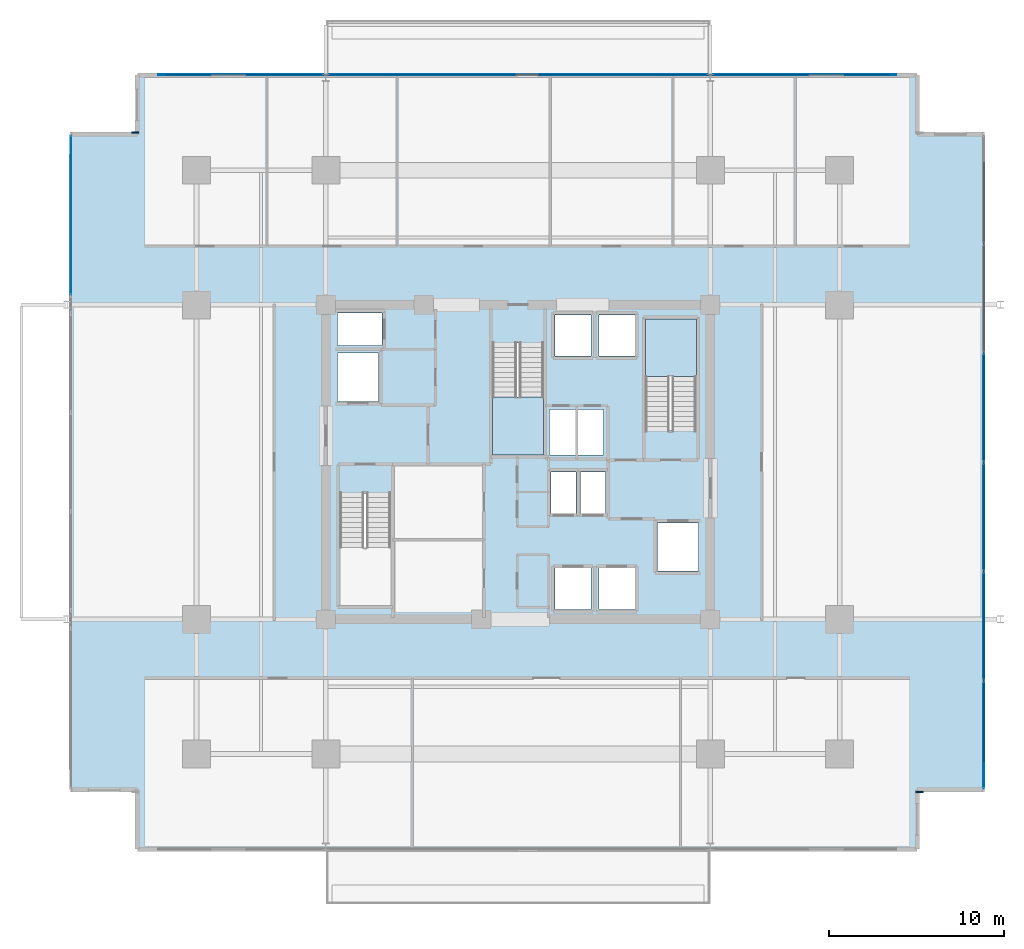
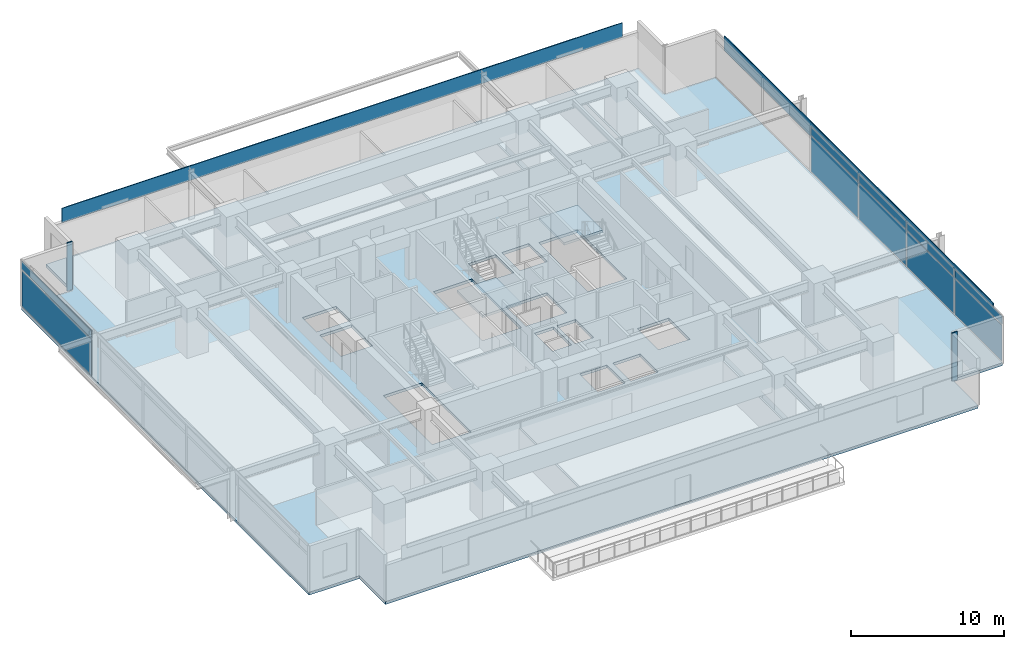
# One storey, part 13 of 22: 16 plates, 3 slabs, 4 elements without a shape of their own.
"""IFC4 building model written with IfcOpenShell, lengths in metres."""

from ifc_helpers import new_model, si_unit, direction, frame, origin, origin_2d, place, context, subcontext, project, spatial, polyline, rectangle, outline, extrude, material, layer, layer_set, type_object, element, aggregate, save


model = new_model("IFC4")

# Units and contexts
model_context = context("Model", 3, precision=1e-05, world=origin(), true_north=direction((0.0, 1.0)))
body_context = subcontext(model_context, "Body", "Model", "MODEL_VIEW")
ifc_project = project(units=[si_unit("LENGTHUNIT", "METRE"), si_unit("AREAUNIT", "SQUARE_METRE"), si_unit("VOLUMEUNIT", "CUBIC_METRE"), si_unit("PLANEANGLEUNIT", "RADIAN"), si_unit("MASSUNIT", "GRAM", prefix="KILO")], contexts=[model_context])

# Site, building, storey
site_placement = place(None, origin())
site = spatial("IfcSite", under=ifc_project, at=site_placement, CompositionType="ELEMENT")
building_placement = place(site_placement, origin())
building = spatial("IfcBuilding", under=site, at=building_placement, Name="Kovane Verandah Tower", CompositionType="ELEMENT")
storey_placement = place(building_placement, frame((0.0, 0.0, 156.39990234375)))
storey = spatial("IfcBuildingStorey", under=building, at=storey_placement, Name="L36", CompositionType="ELEMENT", Elevation=156.39990234375)

# Curtain wall, plates
ifc_material_1 = material(Name="Champagne Anodised Aluminium Frame with Low-E Clear Laminated Glass", Category="aluminium")
curtain_wall_type = type_object("IfcCurtainWallType", Name="CW-SYS-03-MID", PredefinedType="NOTDEFINED", material=ifc_material_1)
curtain_wall_1_placement = place(storey_placement, origin())
curtain_wall_1 = element("IfcCurtainWall", 1, at=curtain_wall_1_placement, inside=storey, type_object=curtain_wall_type, Name="L36 E Unitised Curtain Wall", PredefinedType="NOTDEFINED")
ifc_material_2 = material(Name="Pale Champagne Anodised Aluminium Insulated Spandrel", Category="aluminium")
ifc_layer_1 = layer(ifc_material_2, 0.0400390625)
ifc_layer_set_1 = layer_set([ifc_layer_1], Name="Pale Champagne Anodised Aluminium Insulated Spandrel")
plate_type_1 = type_object("IfcPlateType", Name="PL-CW-SPD-40", PredefinedType="SHEET", material=ifc_layer_set_1)
plate_1_placement = place(storey_placement, frame((66.64208984375, 11.878173828125, 3.044921875), z_axis=(0.0, 0.0, 1.0), x_axis=(0.0, 1.0, 0.0)))
plate_1 = element("IfcPlate", 2, at=plate_1_placement, type_object=plate_type_1, Name="L36 E Unitised Curtain Wall Spandrel Panel 1", PredefinedType="SHEET", context=body_context, shape_type="SweptSolid", body=[
    extrude(rectangle(XDim=6.108642578125, YDim=0.0400390625, at=origin_2d()), origin(), (0.0, 0.0, 1.0), 0.639892578125),
])
plate_2_placement = place(storey_placement, frame((66.64208984375, 18.126953125, 3.044921875), z_axis=(0.0, 0.0, 1.0), x_axis=(0.0, 1.0, 0.0)))
plate_2 = element("IfcPlate", 3, at=plate_2_placement, type_object=plate_type_1, Name="L36 E Unitised Curtain Wall Spandrel Panel 2", PredefinedType="SHEET", context=body_context, shape_type="SweptSolid", body=[
    extrude(rectangle(XDim=6.108642578125, YDim=0.0400390625, at=origin_2d()), origin(), (0.0, 0.0, 1.0), 0.639892578125),
])
plate_3_placement = place(storey_placement, frame((66.64208984375, 24.37548828125, 3.044921875), z_axis=(0.0, 0.0, 1.0), x_axis=(0.0, 1.0, 0.0)))
plate_3 = element("IfcPlate", 4, at=plate_3_placement, type_object=plate_type_1, Name="L36 E Unitised Curtain Wall Spandrel Panel 3", PredefinedType="SHEET", context=body_context, shape_type="SweptSolid", body=[
    extrude(rectangle(XDim=6.108642578125, YDim=0.0400390625, at=origin_2d()), origin(), (0.0, 0.0, 1.0), 0.639892578125),
])
plate_4_placement = place(storey_placement, frame((66.64208984375, 30.62451171875, 3.044921875), z_axis=(0.0, 0.0, 1.0), x_axis=(0.0, 1.0, 0.0)))
plate_4 = element("IfcPlate", 5, at=plate_4_placement, type_object=plate_type_1, Name="L36 E Unitised Curtain Wall Spandrel Panel 4", PredefinedType="SHEET", context=body_context, shape_type="SweptSolid", body=[
    extrude(rectangle(XDim=6.108642578125, YDim=0.0400390625, at=origin_2d()), origin(), (0.0, 0.0, 1.0), 0.639892578125),
])

# Curtain wall, plate
curtain_wall_2_placement = place(storey_placement, origin())
curtain_wall_2 = element("IfcCurtainWall", 6, at=curtain_wall_2_placement, inside=storey, type_object=curtain_wall_type, Name="L36 W Unitised Curtain Wall-1", PredefinedType="NOTDEFINED")
plate_5_placement = place(storey_placement, frame((14.419677734375, 41.633056640625, 3.044921875), z_axis=(0.0, 0.0, 1.0), x_axis=(0.0, -1.0, 0.0)))
plate_5 = element("IfcPlate", 7, at=plate_5_placement, type_object=plate_type_1, Name="L36 W Unitised Curtain Wall-1 Spandrel Panel 1", PredefinedType="SHEET", context=body_context, shape_type="SweptSolid", body=[
    extrude(rectangle(XDim=9.086181640625, YDim=0.0400390625, at=origin_2d()), origin(), (0.0, 0.0, 1.0), 0.639892578125),
])

# Plate
ifc_material_3 = material(Name="Clear Low-E Laminated Double Glazing", Category="glass")
ifc_layer_2 = layer(ifc_material_3, 0.031982421875)
ifc_layer_set_2 = layer_set([ifc_layer_2], Name="Clear Low-E Laminated Double Glazing")
plate_type_2 = type_object("IfcPlateType", Name="PL-CW-VIS-32", PredefinedType="CURTAIN_PANEL", material=ifc_layer_set_2)
plate_6_placement = place(storey_placement, frame((66.64208984375, 11.878173828125, 0.10009765625), z_axis=(0.0, 0.0, 1.0), x_axis=(0.0, 1.0, 0.0)))
plate_6 = element("IfcPlate", 8, at=plate_6_placement, type_object=plate_type_2, Name="L36 E Unitised Curtain Wall Vision Panel 1", PredefinedType="CURTAIN_PANEL", context=body_context, shape_type="SweptSolid", body=[
    extrude(rectangle(XDim=6.108642578125, YDim=0.031982421875, at=origin_2d()), origin(), (0.0, 0.0, 1.0), 2.844970703125),
])

plate_7_placement = place(storey_placement, frame((66.64208984375, 18.126953125, 0.10009765625), z_axis=(0.0, 0.0, 1.0), x_axis=(0.0, 1.0, 0.0)))
plate_7 = element("IfcPlate", 9, at=plate_7_placement, type_object=plate_type_2, Name="L36 E Unitised Curtain Wall Vision Panel 2", PredefinedType="CURTAIN_PANEL", context=body_context, shape_type="SweptSolid", body=[
    extrude(rectangle(XDim=6.108642578125, YDim=0.031982421875, at=origin_2d()), origin(), (0.0, 0.0, 1.0), 2.844970703125),
])

plate_8_placement = place(storey_placement, frame((66.64208984375, 24.37548828125, 0.10009765625), z_axis=(0.0, 0.0, 1.0), x_axis=(0.0, 1.0, 0.0)))
plate_8 = element("IfcPlate", 10, at=plate_8_placement, type_object=plate_type_2, Name="L36 E Unitised Curtain Wall Vision Panel 3", PredefinedType="CURTAIN_PANEL", context=body_context, shape_type="SweptSolid", body=[
    extrude(rectangle(XDim=6.108642578125, YDim=0.031982421875, at=origin_2d()), origin(), (0.0, 0.0, 1.0), 2.844970703125),
])

plate_9_placement = place(storey_placement, frame((66.64208984375, 30.62451171875, 0.10009765625), z_axis=(0.0, 0.0, 1.0), x_axis=(0.0, 1.0, 0.0)))
plate_9 = element("IfcPlate", 11, at=plate_9_placement, type_object=plate_type_2, Name="L36 E Unitised Curtain Wall Vision Panel 4", PredefinedType="CURTAIN_PANEL", context=body_context, shape_type="SweptSolid", body=[
    extrude(rectangle(XDim=6.108642578125, YDim=0.031982421875, at=origin_2d()), origin(), (0.0, 0.0, 1.0), 2.844970703125),
])

aggregate(curtain_wall_1, [plate_6, plate_1, plate_7, plate_2, plate_8, plate_3, plate_9, plate_4])

plate_10_placement = place(storey_placement, frame((14.419677734375, 41.633056640625, 0.10009765625), z_axis=(0.0, 0.0, 1.0), x_axis=(0.0, -1.0, 0.0)))
plate_10 = element("IfcPlate", 12, at=plate_10_placement, type_object=plate_type_2, Name="L36 W Unitised Curtain Wall-1 Vision Panel 1", PredefinedType="CURTAIN_PANEL", context=body_context, shape_type="SweptSolid", body=[
    extrude(rectangle(XDim=9.086181640625, YDim=0.031982421875, at=origin_2d()), origin(), (0.0, 0.0, 1.0), 2.844970703125),
])

aggregate(curtain_wall_2, [plate_10, plate_5])

# Plates
ifc_material_4 = material(Name="Timber-Toned Subtropical Aluminium Vertical Blade", Category="wood")
ifc_layer_3 = layer(ifc_material_4, 0.090087890625)
ifc_layer_set_3 = layer_set([ifc_layer_3], Name="Timber-Toned Subtropical Aluminium Vertical Blade")
plate_type_3 = type_object("IfcPlateType", Name="PL-FIN-90", PredefinedType="USERDEFINED", material=ifc_layer_set_3)
for number, where, z_axis, x_axis, name in (
    (13, (62.9619140625, 8.6337890625, -0.019775390625), (0.0, 0.0, 1.0), (1.0, 0.0, 0.0), "L36 SE Timber-Toned Vertical Corner Fin"),
    (14, (18.099609375, 46.3662109375, -0.019775390625), (0.0, 0.0, 1.0), (1.0, 0.0, 0.0), "L36 NW Timber-Toned Vertical Corner Fin"),
):
    element("IfcPlate", number, at=place(storey_placement, frame(where, z_axis=z_axis, x_axis=x_axis)), inside=storey, type_object=plate_type_3, Name=name, ObjectType="FIN", PredefinedType="USERDEFINED", context=body_context, shape_type="SweptSolid", body=[
        extrude(rectangle(XDim=0.419921875, YDim=0.090087890625, at=origin_2d()), origin(), (0.0, 0.0, 1.0), 3.8349609375),
    ])
ifc_material_5 = material(Name="Perforated Pale Champagne Anodised Aluminium Solar Screen", Category="aluminium")
ifc_layer_4 = layer(ifc_material_5, 0.050048828125)
ifc_layer_set_4 = layer_set([ifc_layer_4], Name="Perforated Pale Champagne Anodised Aluminium Solar Screen")
plate_type_4 = type_object("IfcPlateType", Name="PL-SCREEN-50", PredefinedType="USERDEFINED", material=ifc_layer_set_4)
plate_11_placement = place(storey_placement, frame((66.656982421875, 27.5, 2.875244140625), z_axis=(0.0, 0.0, 1.0), x_axis=(0.0, 1.0, 0.0)))
element("IfcPlate", 15, at=plate_11_placement, inside=storey, type_object=plate_type_4, Name="L36 E Perforated Champagne-Gold Solar Screen", ObjectType="SCREEN", PredefinedType="USERDEFINED", context=body_context, shape_type="SweptSolid", body=[
    extrude(rectangle(XDim=35.092041015625, YDim=0.050048828125, at=origin_2d()), origin(), (0.0, 0.0, 1.0), 1.14990234375),
])
plate_12_placement = place(storey_placement, frame((40.531005859375, 49.6611328125, 2.875244140625), z_axis=(0.0, 0.0, 1.0), x_axis=(-1.0, 0.0, 0.0)))
element("IfcPlate", 16, at=plate_12_placement, inside=storey, type_object=plate_type_4, Name="L36 N Perforated Champagne-Gold Solar Screen", ObjectType="SCREEN", PredefinedType="USERDEFINED", context=body_context, shape_type="SweptSolid", body=[
    extrude(rectangle(XDim=42.221923828125, YDim=0.050048828125, at=origin_2d()), origin(), (0.0, 0.0, 1.0), 1.14990234375),
])
ifc_material_6 = material(Name="Extruded Pale-Bronze Aluminium Aerofoil Sunshade", Category="aluminium")
ifc_layer_5 = layer(ifc_material_6, 0.06005859375)
ifc_layer_set_5 = layer_set([ifc_layer_5], Name="Extruded Pale-Bronze Aluminium Aerofoil Sunshade")
plate_type_5 = type_object("IfcPlateType", Name="PL-SUNSHADE-60", PredefinedType="USERDEFINED", material=ifc_layer_set_5)
plate_13_placement = place(storey_placement, frame((66.662109375, 27.5, 3.7548828125), z_axis=(0.0, 0.0, 1.0), x_axis=(0.0, 1.0, 0.0)))
element("IfcPlate", 17, at=plate_13_placement, inside=storey, type_object=plate_type_5, Name="L36 E Subtropical Aerofoil Sunshade", ObjectType="SUNSHADE", PredefinedType="USERDEFINED", context=body_context, shape_type="SweptSolid", body=[
    extrude(rectangle(XDim=34.2919921875, YDim=0.06005859375, at=origin_2d()), origin(), (0.0, 0.0, 1.0), 0.280029296875),
])
plate_14_placement = place(storey_placement, frame((40.531005859375, 49.666259765625, 3.7548828125), z_axis=(0.0, 0.0, 1.0), x_axis=(-1.0, 0.0, 0.0)))
element("IfcPlate", 18, at=plate_14_placement, inside=storey, type_object=plate_type_5, Name="L36 N Subtropical Aerofoil Sunshade", ObjectType="SUNSHADE", PredefinedType="USERDEFINED", context=body_context, shape_type="SweptSolid", body=[
    extrude(rectangle(XDim=41.422119140625, YDim=0.06005859375, at=origin_2d()), origin(), (0.0, 0.0, 1.0), 0.280029296875),
])

# Stair, slab
ifc_material_7 = material(Name="Concrete C45/55", Category="concrete")
stair_type = type_object("IfcStairType", Name="ST-CORE-1380", PredefinedType="HALF_TURN_STAIR", material=ifc_material_7)
stair_1_placement = place(storey_placement, origin())
stair_1 = element("IfcStair", 19, at=stair_1_placement, inside=storey, type_object=stair_type, Name="L36 Exit Stair ST-02", PredefinedType="HALF_TURN_STAIR")
ifc_layer_6 = layer(ifc_material_7, 0.199951171875)
ifc_layer_set_6 = layer_set([ifc_layer_6], Name="Concrete C45/55")
slab_type_1 = type_object("IfcSlabType", Name="SL-LAND-200", PredefinedType="LANDING", material=ifc_layer_set_6)
slab_1_placement = place(storey_placement, frame((0.0, 0.0, 1.800048828125)))
slab_1 = element("IfcSlab", 20, at=slab_1_placement, type_object=slab_type_1, Name="ST-02 landing 1", PredefinedType="LANDING", context=body_context, shape_type="SweptSolid", body=[
    extrude(outline(polyline([(50.199951171875, 32.385009765625), (50.199951171875, 35.699951171875), (47.280029296875, 35.699951171875), (47.280029296875, 32.385009765625), (50.199951171875, 32.385009765625)])), origin(), (0.0, 0.0, 1.0), 0.199951171875),
])
aggregate(stair_1, [slab_1])

stair_2_placement = place(storey_placement, origin())
stair_2 = element("IfcStair", 21, at=stair_2_placement, inside=storey, type_object=stair_type, Name="L36 Exit Stair ST-03", PredefinedType="HALF_TURN_STAIR")
slab_2_placement = place(storey_placement, frame((0.0, 0.0, 1.800048828125)))
slab_2 = element("IfcSlab", 22, at=slab_2_placement, type_object=slab_type_1, Name="ST-03 landing 1", PredefinedType="LANDING", context=body_context, shape_type="SweptSolid", body=[
    extrude(outline(polyline([(38.5400390625, 31.215087890625), (38.5400390625, 27.89990234375), (41.4599609375, 27.89990234375), (41.4599609375, 31.215087890625), (38.5400390625, 31.215087890625)])), origin(), (0.0, 0.0, 1.0), 0.199951171875),
])
aggregate(stair_2, [slab_2])

# Slab
ifc_layer_7 = layer(ifc_material_7, 0.22509765625)
ifc_layer_set_7 = layer_set([ifc_layer_7], Name="Concrete C45/55")
slab_type_2 = type_object("IfcSlabType", Name="SL-MID-225", PredefinedType="FLOOR", material=ifc_layer_set_7)
slab_3_placement = place(storey_placement, frame((0.0, 0.0, -0.224853515625)))
element("IfcSlab", 23, at=slab_3_placement, inside=storey, type_object=slab_type_2, Name="L36 Structural Floor Slab", PredefinedType="FLOOR", context=body_context, shape_type="SweptSolid", body=[
    extrude(outline(polyline([(18.2197265625, 5.353759765625), (62.842041015625, 5.353759765625), (62.842041015625, 8.75390625), (66.64208984375, 8.75390625), (66.64208984375, 46.24609375), (62.842041015625, 46.24609375), (62.842041015625, 49.646240234375), (18.2197265625, 49.646240234375), (18.2197265625, 46.24609375), (14.419677734375, 46.24609375), (14.419677734375, 8.75390625), (18.2197265625, 8.75390625), (18.2197265625, 5.353759765625)]), holes=[polyline([(29.800048828125, 19.300048828125), (32.719970703125, 19.300048828125), (32.719970703125, 25.705078125), (29.800048828125, 25.705078125), (29.800048828125, 19.300048828125)]), polyline([(47.280029296875, 29.294921875), (50.199951171875, 29.294921875), (50.199951171875, 35.699951171875), (47.280029296875, 35.699951171875), (47.280029296875, 29.294921875)]), polyline([(38.5400390625, 27.89990234375), (41.4599609375, 27.89990234375), (41.4599609375, 34.304931640625), (38.5400390625, 34.304931640625), (38.5400390625, 27.89990234375)]), polyline([(29.669921875, 30.969970703125), (32.030029296875, 30.969970703125), (32.030029296875, 33.72998046875), (29.669921875, 33.72998046875), (29.669921875, 30.969970703125)]), polyline([(47.969970703125, 21.27001953125), (50.330078125, 21.27001953125), (50.330078125, 24.030029296875), (47.969970703125, 24.030029296875), (47.969970703125, 21.27001953125)]), polyline([(29.669921875, 34.169921875), (32.22998046875, 34.169921875), (32.22998046875, 36.030029296875), (29.669921875, 36.030029296875), (29.669921875, 34.169921875)]), polyline([(42.1201171875, 19.070068359375), (44.179931640625, 19.070068359375), (44.179931640625, 21.429931640625), (42.1201171875, 21.429931640625), (42.1201171875, 19.070068359375)]), polyline([(44.6201171875, 19.070068359375), (46.679931640625, 19.070068359375), (46.679931640625, 21.429931640625), (44.6201171875, 21.429931640625), (44.6201171875, 19.070068359375)]), polyline([(41.8798828125, 24.570068359375), (43.320068359375, 24.570068359375), (43.320068359375, 26.929931640625), (41.8798828125, 26.929931640625), (41.8798828125, 24.570068359375)]), polyline([(43.580078125, 24.570068359375), (45.0, 24.570068359375), (45.0, 26.929931640625), (43.580078125, 26.929931640625), (43.580078125, 24.570068359375)]), polyline([(42.1201171875, 33.570068359375), (44.179931640625, 33.570068359375), (44.179931640625, 35.929931640625), (42.1201171875, 35.929931640625), (42.1201171875, 33.570068359375)]), polyline([(44.6201171875, 33.570068359375), (46.679931640625, 33.570068359375), (46.679931640625, 35.929931640625), (44.6201171875, 35.929931640625), (44.6201171875, 33.570068359375)]), polyline([(41.800048828125, 27.89990234375), (44.89990234375, 27.89990234375), (44.89990234375, 30.5), (41.800048828125, 30.5), (41.800048828125, 27.89990234375)])]), origin(), (0.0, 0.0, 1.0), 0.224853515625),
])

save(model, "model.ifc")
